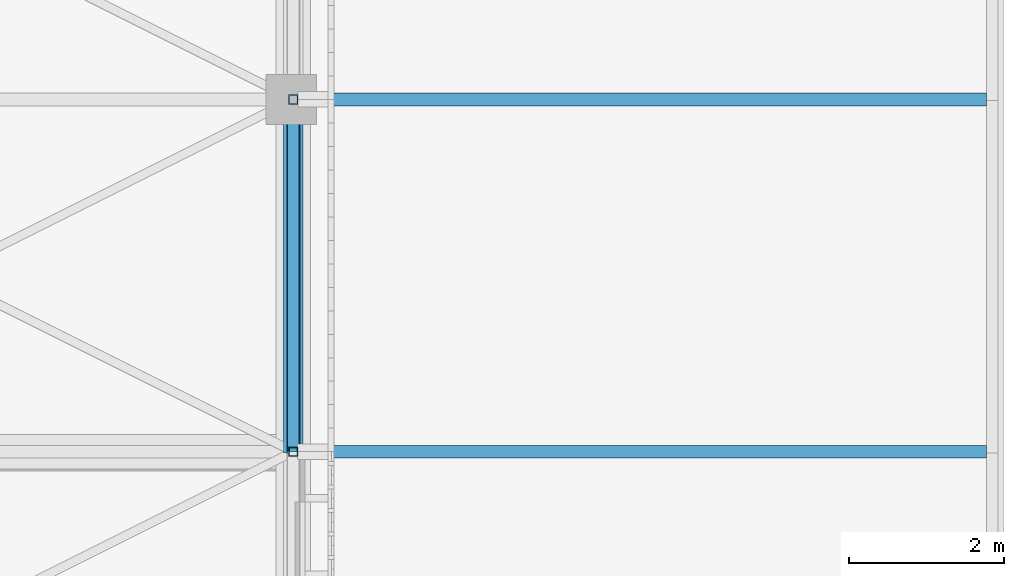
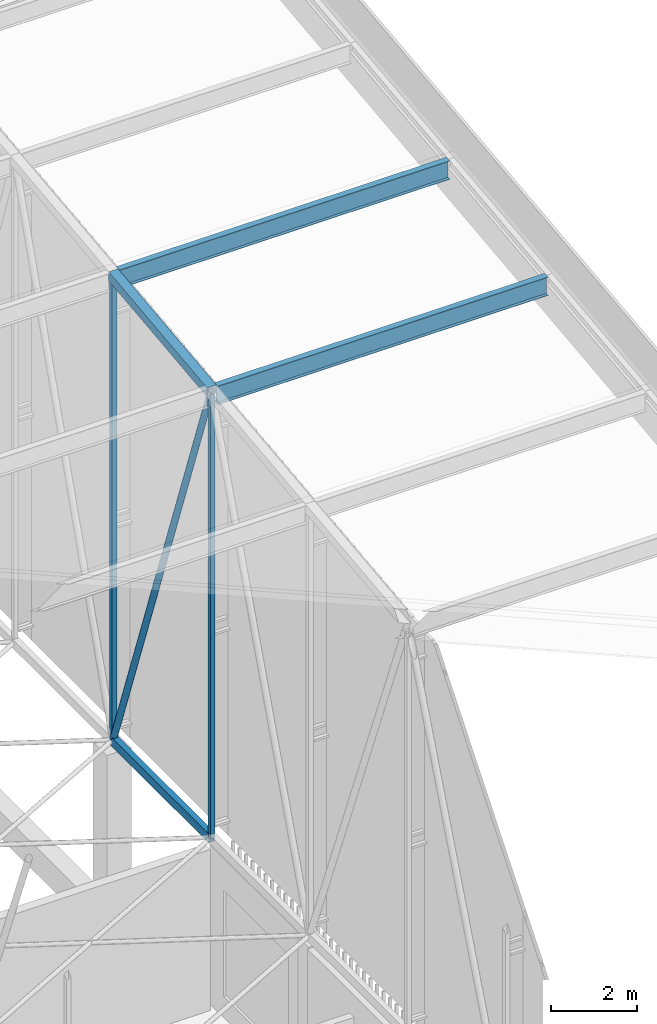
# One storey, part 364 of 500: 7 members.
"""IFC4 building model written with IfcOpenShell, lengths in metres."""

from ifc_helpers import new_model, si_unit, direction, frame, origin, origin_2d, place, context, subcontext, project, spatial, hollow_rectangle, hollow_circle, i_section, extrude, material, material_profile, profile_set, type_object, element, save


model = new_model("IFC4")

# Units and contexts
model_context = context("Model", 3, precision=1e-05, world=origin(), true_north=direction((0.0, 1.0)))
body_context = subcontext(model_context, "Body", "Model", "MODEL_VIEW")
ifc_project = project(units=[si_unit("LENGTHUNIT", "METRE"), si_unit("AREAUNIT", "SQUARE_METRE"), si_unit("VOLUMEUNIT", "CUBIC_METRE"), si_unit("PLANEANGLEUNIT", "RADIAN"), si_unit("MASSUNIT", "GRAM", prefix="KILO")], contexts=[model_context])

# Site, building, storey
site_placement = place(None, origin())
site = spatial("IfcSite", under=ifc_project, at=site_placement, CompositionType="ELEMENT")
building_placement = place(site_placement, origin())
building = spatial("IfcBuilding", under=site, at=building_placement, Name="Shirokan Park Arena", CompositionType="ELEMENT")
storey_placement = place(building_placement, frame((0.0, 0.0, 29.1201171875)))
storey = spatial("IfcBuildingStorey", under=building, at=storey_placement, Name="L06", CompositionType="ELEMENT", Elevation=29.1201171875)

# Members
ifc_material_1 = material(Name="Steel ASTM A500 Grade C", Category="steel")
ifc_material_profile_1 = material_profile(ifc_material_1, hollow_rectangle(XDim=0.152099609375, YDim=0.25390625, WallThickness=0.009521484375, at=origin_2d()), Name="HSS254X152.4X9.5")
ifc_profile_set_1 = profile_set([ifc_material_profile_1], Name="Steel ASTM A500 Grade C")
member_type_1 = type_object("IfcMemberType", Name="Bottom chord HSS254X152.4X9.5", PredefinedType="CHORD", material=ifc_profile_set_1)
member_1_placement = place(storey_placement, frame((145.60009765625, 40.949951171875, 4.677001953125), z_axis=(0.0, 1.0, 0.0), x_axis=(-1.0, 0.0, 0.0)))
element("IfcMember", 1, at=member_1_placement, inside=storey, type_object=member_type_1, Name="Truss T17 bottom chord 12", PredefinedType="CHORD", context=body_context, shape_type="SweptSolid", body=[
    extrude(hollow_rectangle(XDim=0.152099609375, YDim=0.25390625, WallThickness=0.009521484375, at=origin_2d()), origin(), (0.0, 0.0, 1.0), 4.550048828125),
])
ifc_material_2 = material(Name="Steel ASTM A992", Category="steel")
ifc_material_profile_2 = material_profile(ifc_material_2, i_section(OverallWidth=0.166015625, OverallDepth=0.528076171875, WebThickness=0.009765625, FlangeThickness=0.013671875, at=origin_2d()), Name="W530X74")
ifc_profile_set_2 = profile_set([ifc_material_profile_2], Name="Steel ASTM A992")
member_type_2 = type_object("IfcMemberType", Name="Purlin W530X74", PredefinedType="PURLIN", material=ifc_profile_set_2)
for number, where, z_axis, x_axis, name in (
    (2, (145.72705078125, 40.949951171875, 17.165771484375), (1.0, 0.0, 0.0), (0.0, 1.0, 0.0), "Eave purlin east 12"),
    (3, (145.72705078125, 45.5, 17.685791015625), (1.0, 0.0, 0.0), (0.0, 1.0, 0.0), "Eave purlin east 13"),
):
    element("IfcMember", number, at=place(storey_placement, frame(where, z_axis=z_axis, x_axis=x_axis)), inside=storey, type_object=member_type_2, Name=name, PredefinedType="PURLIN", context=body_context, shape_type="SweptSolid", body=[
        extrude(i_section(OverallWidth=0.166015625, OverallDepth=0.528076171875, WebThickness=0.009765625, FlangeThickness=0.013671875, at=origin_2d()), origin(), (0.0, 0.0, 1.0), 8.824951171875),
    ])
ifc_material_profile_3 = material_profile(ifc_material_1, hollow_rectangle(XDim=0.25390625, YDim=0.25390625, WallThickness=0.009521484375, at=origin_2d()), Name="HSS254X254X9.5")
ifc_profile_set_3 = profile_set([ifc_material_profile_3], Name="Steel ASTM A500 Grade C")
member_type_3 = type_object("IfcMemberType", Name="Top chord HSS254X254X9.5", PredefinedType="CHORD", material=ifc_profile_set_3)
member_2_placement = place(storey_placement, frame((145.60009765625, 40.949951171875, 17.302978515625), z_axis=(0.0, 0.993532328996, 0.113549598152), x_axis=(-1.0, 0.0, 0.0)))
element("IfcMember", 4, at=member_2_placement, inside=storey, type_object=member_type_3, Name="Truss T17 top chord 12", PredefinedType="CHORD", context=body_context, shape_type="SweptSolid", body=[
    extrude(hollow_rectangle(XDim=0.25390625, YDim=0.25390625, WallThickness=0.009521484375, at=origin_2d()), origin(), (0.0, 0.0, 1.0), 4.57958984375),
])
ifc_material_profile_4 = material_profile(ifc_material_1, hollow_circle(Radius=0.083984375, WallThickness=0.009521484375, at=origin_2d()), Name="HSS168.3X9.5")
ifc_profile_set_4 = profile_set([ifc_material_profile_4], Name="Steel ASTM A500 Grade C")
member_type_4 = type_object("IfcMemberType", Name="Truss diagonal HSS168.3X9.5", PredefinedType="BRACE", material=ifc_profile_set_4)
member_3_placement = place(storey_placement, frame((145.60009765625, 40.949951171875, 17.302978515625), z_axis=(0.0, 0.339029292845, -0.940775817394), x_axis=(-1.0, 0.0, 0.0)))
element("IfcMember", 5, at=member_3_placement, inside=storey, type_object=member_type_4, Name="Truss T17 diagonal 12", PredefinedType="BRACE", context=body_context, shape_type="SweptSolid", body=[
    extrude(hollow_circle(Radius=0.083984375, WallThickness=0.009521484375, at=origin_2d()), origin(), (0.0, 0.0, 1.0), 13.4208984375),
])
ifc_material_profile_5 = material_profile(ifc_material_1, hollow_rectangle(XDim=0.114013671875, YDim=0.114013671875, WallThickness=0.00634765625, at=origin_2d()), Name="HSS114.3X114.3X6.4")
ifc_profile_set_5 = profile_set([ifc_material_profile_5], Name="Steel ASTM A500 Grade C")
member_type_5 = type_object("IfcMemberType", Name="Truss post HSS114.3X114.3X6.4", PredefinedType="POST", material=ifc_profile_set_5)
member_4_placement = place(storey_placement, frame((145.60009765625, 40.949951171875, 4.677001953125), z_axis=(0.0, 0.0, 1.0), x_axis=(1.0, 0.0, 0.0)))
element("IfcMember", 6, at=member_4_placement, inside=storey, type_object=member_type_5, Name="Truss T17 post 12", PredefinedType="POST", context=body_context, shape_type="SweptSolid", body=[
    extrude(hollow_rectangle(XDim=0.114013671875, YDim=0.114013671875, WallThickness=0.00634765625, at=origin_2d()), origin(), (0.0, 0.0, 1.0), 12.6259765625),
])
ifc_material_profile_6 = material_profile(ifc_material_1, hollow_rectangle(XDim=0.126953125, YDim=0.126953125, WallThickness=0.0126953125, at=origin_2d()), Name="HSS127X127X12.7")
ifc_profile_set_6 = profile_set([ifc_material_profile_6], Name="Steel ASTM A500 Grade C")
member_type_6 = type_object("IfcMemberType", Name="Truss post HSS127X127X12.7", PredefinedType="POST", material=ifc_profile_set_6)
member_5_placement = place(storey_placement, frame((145.60009765625, 45.5, 4.677001953125), z_axis=(0.0, 0.0, 1.0), x_axis=(1.0, 0.0, 0.0)))
element("IfcMember", 7, at=member_5_placement, inside=storey, type_object=member_type_6, Name="Truss T17 post 13", PredefinedType="POST", context=body_context, shape_type="SweptSolid", body=[
    extrude(hollow_rectangle(XDim=0.126953125, YDim=0.126953125, WallThickness=0.0126953125, at=origin_2d()), origin(), (0.0, 0.0, 1.0), 13.14599609375),
])

save(model, "model.ifc")
